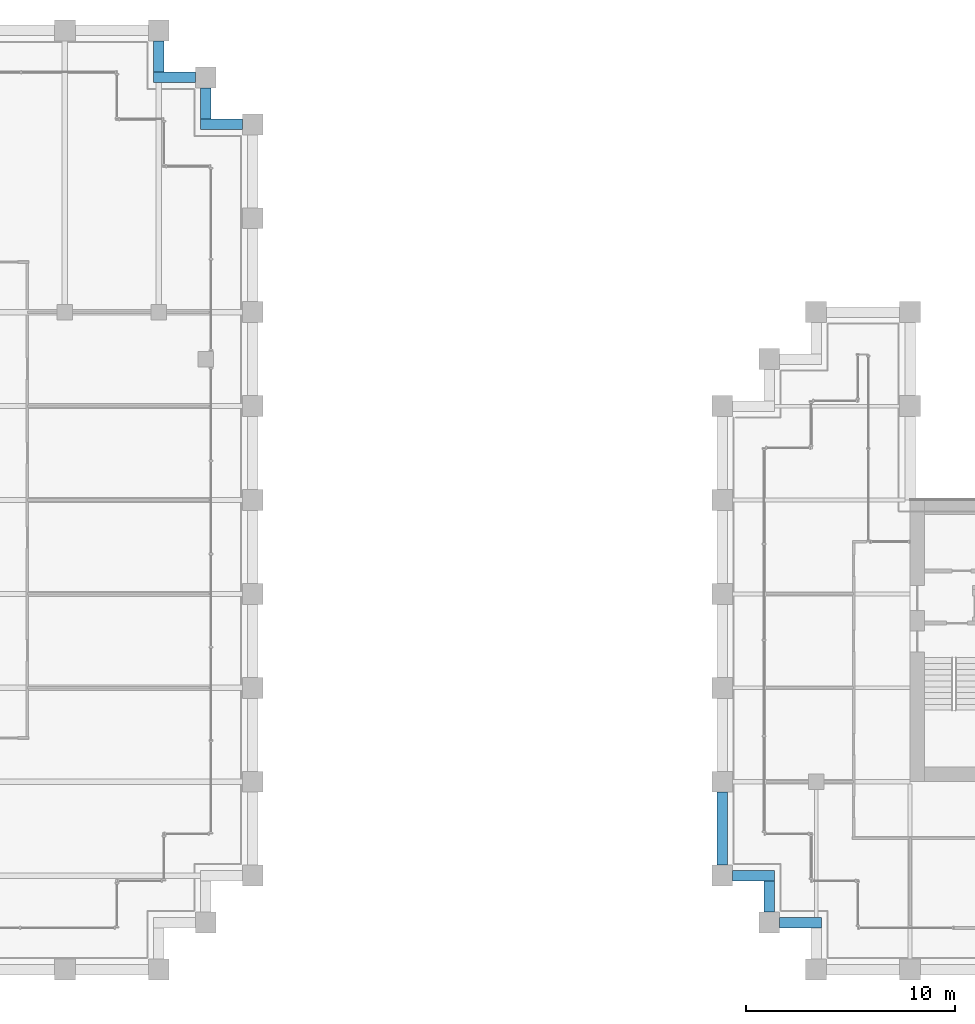
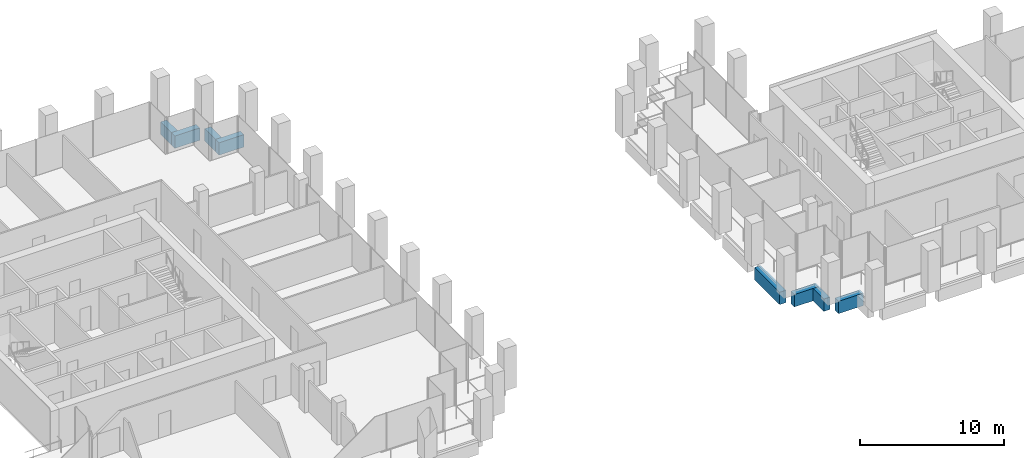
# One storey, part 27 of 47: 8 beams.
"""IFC4 building model written with IfcOpenShell, lengths in metres."""

from ifc_helpers import new_model, si_unit, direction, frame, origin, origin_2d, place, context, subcontext, project, spatial, rectangle, extrude, material, material_profile, profile_set, type_object, element, save


model = new_model("IFC4")

# Units and contexts
model_context = context("Model", 3, precision=1e-05, world=origin(), true_north=direction((0.0, 1.0)))
body_context = subcontext(model_context, "Body", "Model", "MODEL_VIEW")
ifc_project = project(units=[si_unit("LENGTHUNIT", "METRE"), si_unit("AREAUNIT", "SQUARE_METRE"), si_unit("VOLUMEUNIT", "CUBIC_METRE"), si_unit("PLANEANGLEUNIT", "RADIAN"), si_unit("MASSUNIT", "GRAM", prefix="KILO")], contexts=[model_context])

# Site, building, storey
site_placement = place(None, origin())
site = spatial("IfcSite", under=ifc_project, at=site_placement, CompositionType="ELEMENT")
building_placement = place(site_placement, origin())
building = spatial("IfcBuilding", under=site, at=building_placement, Name="Altepetl Exchange Towers", CompositionType="ELEMENT")
storey_placement = place(building_placement, frame((0.0, 0.0, 95.60009765625)))
storey = spatial("IfcBuildingStorey", under=building, at=storey_placement, Name="L23", CompositionType="ELEMENT", Elevation=95.60009765625)

# Beams
ifc_material_1 = material(Name="Concrete C50/60 precast with cantera rosa facing", Category="concrete")
ifc_material_profile_1 = material_profile(ifc_material_1, rectangle(XDim=0.5, YDim=1.050048828125, at=origin_2d()), Name="500 x 1050")
ifc_profile_set_1 = profile_set([ifc_material_profile_1], Name="Concrete C50/60 precast with cantera rosa facing")
beam_type_1 = type_object("IfcBeamType", Name="Spandrel beam 500x1050 cantera rosa", PredefinedType="SPANDREL", material=ifc_profile_set_1)
beam_1_placement = place(storey_placement, frame((71.5, 67.5, -0.675048828125), z_axis=(-1.0, 0.0, 0.0), x_axis=(0.0, -1.0, 0.0)))
element("IfcBeam", 1, at=beam_1_placement, inside=storey, type_object=beam_type_1, Name="sp:A:L23:020", PredefinedType="SPANDREL", context=body_context, shape_type="SweptSolid", body=[
    extrude(rectangle(XDim=0.5, YDim=1.050048828125, at=origin_2d()), origin(), (0.0, 0.0, 1.0), 2.0),
])
beam_2_placement = place(storey_placement, frame((69.75, 67.75, -0.675048828125), z_axis=(0.0, 1.0, 0.0), x_axis=(-1.0, 0.0, 0.0)))
element("IfcBeam", 2, at=beam_2_placement, inside=storey, type_object=beam_type_1, Name="sp:A:L23:021", PredefinedType="SPANDREL", context=body_context, shape_type="SweptSolid", body=[
    extrude(rectangle(XDim=0.5, YDim=1.050048828125, at=origin_2d()), origin(), (0.0, 0.0, 1.0), 1.5),
])
beam_3_placement = place(storey_placement, frame((69.25, 69.75, -0.675048828125), z_axis=(-1.0, 0.0, 0.0), x_axis=(0.0, -1.0, 0.0)))
element("IfcBeam", 3, at=beam_3_placement, inside=storey, type_object=beam_type_1, Name="sp:A:L23:022", PredefinedType="SPANDREL", context=body_context, shape_type="SweptSolid", body=[
    extrude(rectangle(XDim=0.5, YDim=1.050048828125, at=origin_2d()), origin(), (0.0, 0.0, 1.0), 2.0),
])
beam_4_placement = place(storey_placement, frame((67.5, 70.0, -0.675048828125), z_axis=(0.0, 1.0, 0.0), x_axis=(-1.0, 0.0, 0.0)))
element("IfcBeam", 4, at=beam_4_placement, inside=storey, type_object=beam_type_1, Name="sp:A:L23:023", PredefinedType="SPANDREL", context=body_context, shape_type="SweptSolid", body=[
    extrude(rectangle(XDim=0.5, YDim=1.050048828125, at=origin_2d()), origin(), (0.0, 0.0, 1.0), 1.5),
])
ifc_material_2 = material(Name="Concrete C50/60 precast with tezontle facing", Category="concrete")
ifc_material_profile_2 = material_profile(ifc_material_2, rectangle(XDim=0.5, YDim=1.050048828125, at=origin_2d()), Name="500 x 1050")
ifc_profile_set_2 = profile_set([ifc_material_profile_2], Name="Concrete C50/60 precast with tezontle facing")
beam_type_2 = type_object("IfcBeamType", Name="Spandrel beam 500x1050 tezontle", PredefinedType="SPANDREL", material=ifc_profile_set_2)
beam_5_placement = place(storey_placement, frame((94.5, 35.5, -0.675048828125), z_axis=(0.0, -1.0, 0.0), x_axis=(1.0, 0.0, 0.0)))
element("IfcBeam", 5, at=beam_5_placement, inside=storey, type_object=beam_type_2, Name="sp:B:L23:026", PredefinedType="SPANDREL", context=body_context, shape_type="SweptSolid", body=[
    extrude(rectangle(XDim=0.5, YDim=1.050048828125, at=origin_2d()), origin(), (0.0, 0.0, 1.0), 3.5),
])
beam_6_placement = place(storey_placement, frame((95.0, 31.5, -0.675048828125), z_axis=(1.0, 0.0, 0.0), x_axis=(0.0, 1.0, 0.0)))
element("IfcBeam", 6, at=beam_6_placement, inside=storey, type_object=beam_type_2, Name="sp:B:L23:027", PredefinedType="SPANDREL", context=body_context, shape_type="SweptSolid", body=[
    extrude(rectangle(XDim=0.5, YDim=1.050048828125, at=origin_2d()), origin(), (0.0, 0.0, 1.0), 2.0),
])
beam_7_placement = place(storey_placement, frame((96.75, 31.25, -0.675048828125), z_axis=(0.0, -1.0, 0.0), x_axis=(1.0, 0.0, 0.0)))
element("IfcBeam", 7, at=beam_7_placement, inside=storey, type_object=beam_type_2, Name="sp:B:L23:028", PredefinedType="SPANDREL", context=body_context, shape_type="SweptSolid", body=[
    extrude(rectangle(XDim=0.5, YDim=1.050048828125, at=origin_2d()), origin(), (0.0, 0.0, 1.0), 1.5),
])
beam_8_placement = place(storey_placement, frame((97.25, 29.25, -0.675048828125), z_axis=(1.0, 0.0, 0.0), x_axis=(0.0, 1.0, 0.0)))
element("IfcBeam", 8, at=beam_8_placement, inside=storey, type_object=beam_type_2, Name="sp:B:L23:029", PredefinedType="SPANDREL", context=body_context, shape_type="SweptSolid", body=[
    extrude(rectangle(XDim=0.5, YDim=1.050048828125, at=origin_2d()), origin(), (0.0, 0.0, 1.0), 2.0),
])

save(model, "model.ifc")
